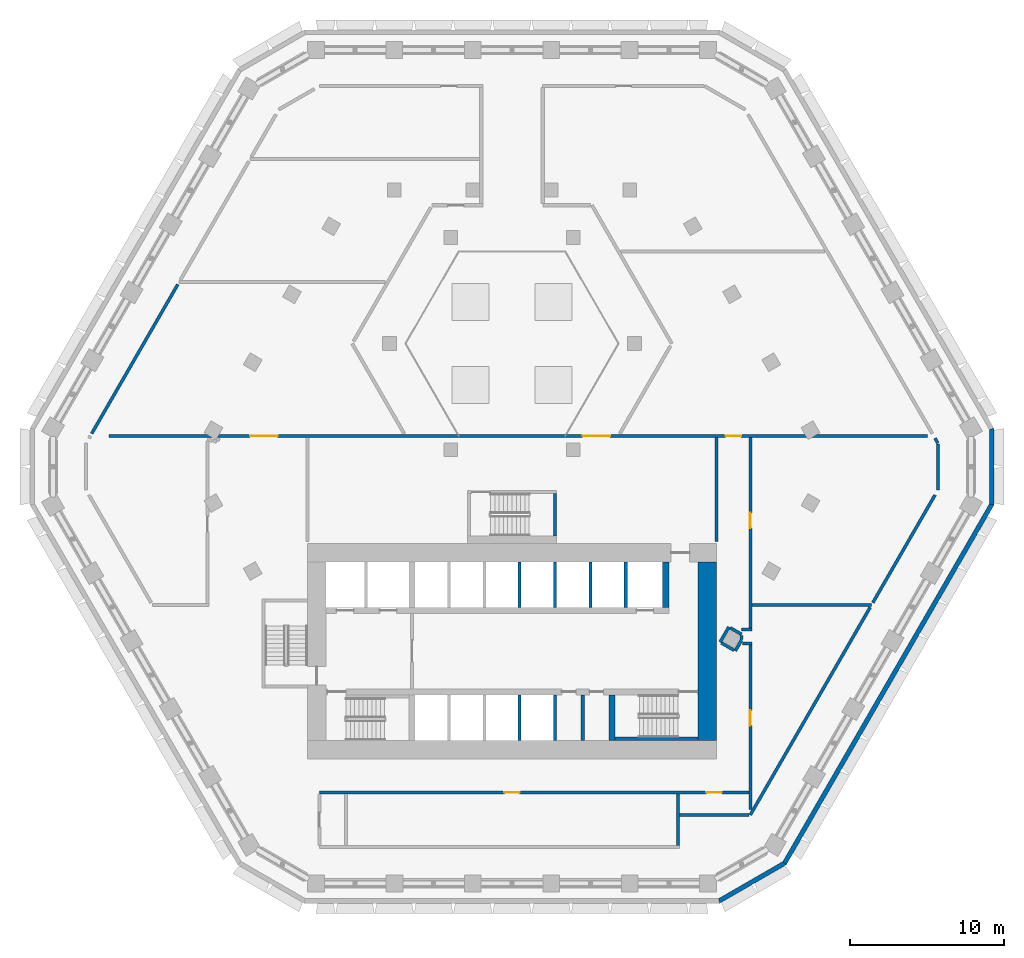
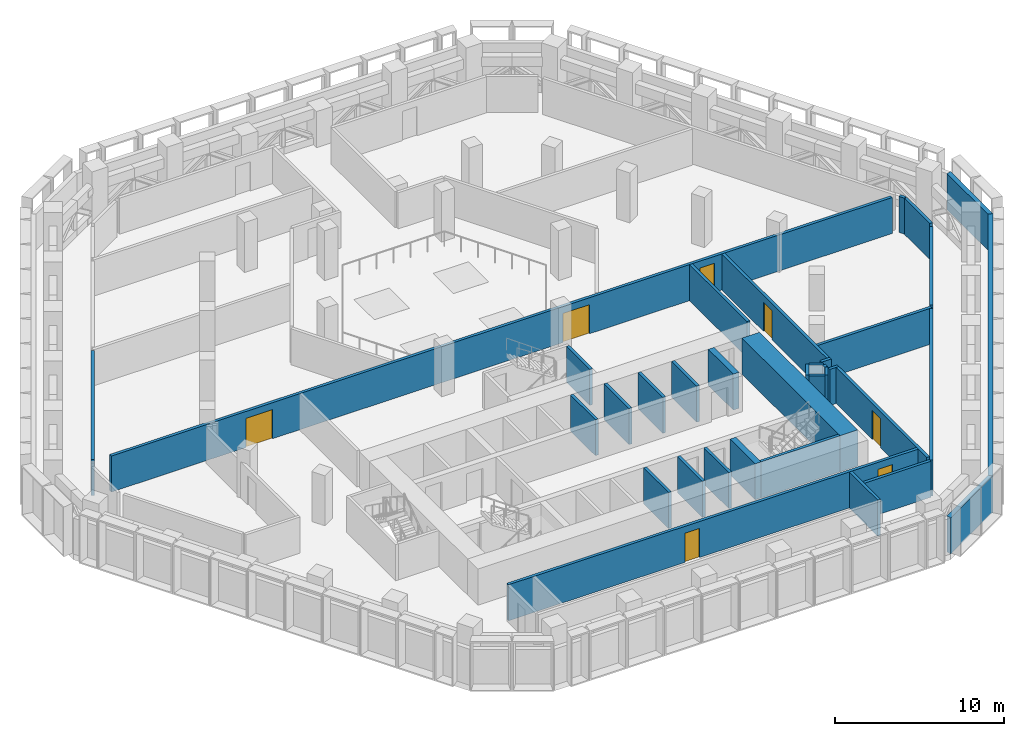
# One storey, part 12 of 22: 35 walls, 7 doors, 7 openings.
"""IFC4 building model written with IfcOpenShell, lengths in metres."""

from ifc_helpers import new_model, si_unit, direction, frame, frame_2d, origin, place, context, subcontext, project, spatial, polyline, rectangle, outline, extrude, material, layer, layer_set, type_object, element, fill, save


model = new_model("IFC4")

# Units and contexts
model_context = context("Model", 3, precision=1e-05, world=origin(), true_north=direction((0.0, 1.0)))
body_context = subcontext(model_context, "Body", "Model", "MODEL_VIEW")
ifc_project = project(units=[si_unit("LENGTHUNIT", "METRE"), si_unit("AREAUNIT", "SQUARE_METRE"), si_unit("VOLUMEUNIT", "CUBIC_METRE"), si_unit("PLANEANGLEUNIT", "RADIAN"), si_unit("MASSUNIT", "GRAM", prefix="KILO")], contexts=[model_context])

# Site, building, storey
site_placement = place(None, origin())
site = spatial("IfcSite", under=ifc_project, at=site_placement, CompositionType="ELEMENT")
building_placement = place(site_placement, origin())
building = spatial("IfcBuilding", under=site, at=building_placement, Name="Beryl Residences", CompositionType="ELEMENT")
storey_placement = place(building_placement, frame((0.0, 0.0, 62.39990234375)))
storey = spatial("IfcBuildingStorey", under=building, at=storey_placement, Name="L19", CompositionType="ELEMENT", Elevation=62.39990234375)

# Walls
ifc_material_1 = material(Name="Composite metal panel with mineral wool insulation")
ifc_layer_1 = layer(ifc_material_1, 0.300048828125)
ifc_layer_set_1 = layer_set([ifc_layer_1], Name="ES1 pale metal composite panel wall 300 mm")
wall_type_1 = type_object("IfcWallType", Name="ES1 pale metal composite panel wall 300 mm", PredefinedType="SOLIDWALL", material=ifc_layer_set_1)
wall_1_placement = place(storey_placement, frame((13.43505859375, -28.27001953125, 0.0), z_axis=(0.0, 0.0, 1.0), x_axis=(0.866010750942, 0.50002537861, 0.0)))
element("IfcWall", 1, at=wall_1_placement, inside=storey, type_object=wall_type_1, Name="ES1 external wall L19 S-SE", PredefinedType="SOLIDWALL", context=body_context, shape_type="SweptSolid", body=[
    extrude(outline(polyline([(0.0, -0.14990234375), (4.999755859375, -0.14990234375), (4.91943359375, 0.14990234375), (0.080322265625, 0.14990234375), (0.0, -0.14990234375)])), origin(), (0.0, 0.0, 1.0), 2.60009765625),
])
wall_2_placement = place(storey_placement, frame((17.7099609375, -25.824951171875, 0.0), z_axis=(0.0, 0.0, 1.0), x_axis=(0.500001938803, 0.866024284413, 0.0)))
element("IfcWall", 2, at=wall_2_placement, inside=storey, type_object=wall_type_1, Name="ES1 external wall L19 SE", PredefinedType="SOLIDWALL", context=body_context, shape_type="SweptSolid", body=[
    extrude(outline(polyline([(0.0, -0.14990234375), (27.02001953125, -0.14990234375), (26.939697265625, 0.14990234375), (0.080322265625, 0.14990234375), (0.0, -0.14990234375)])), origin(), (0.0, 0.0, 1.0), 2.60009765625),
])
wall_3_placement = place(storey_placement, frame((31.199951171875, -2.5, 0.0), z_axis=(0.0, 0.0, 1.0), x_axis=(0.0, 1.0, 0.0)))
element("IfcWall", 3, at=wall_3_placement, inside=storey, type_object=wall_type_1, Name="ES1 external wall L19 SE-NE", PredefinedType="SOLIDWALL", context=body_context, shape_type="SweptSolid", body=[
    extrude(outline(polyline([(0.0, -0.14990234375), (5.0, -0.14990234375), (4.919677734375, 0.14990234375), (0.080322265625, 0.14990234375), (0.0, -0.14990234375)])), origin(), (0.0, 0.0, 1.0), 2.60009765625),
])
ifc_material_2 = material(Name="Cement board with tiles")
ifc_layer_2 = layer(ifc_material_2, 0.199951171875)
ifc_layer_set_2 = layer_set([ifc_layer_2], Name="PT11-200 wet area wall 200 mm")
wall_type_2 = type_object("IfcWallType", Name="PT11-200 wet area wall 200 mm", PredefinedType="PARTITIONING", material=ifc_layer_set_2)
wall_4_placement = place(storey_placement, frame((10.89990234375, -22.652099609375, 0.0), z_axis=(0.0, 0.0, 1.0), x_axis=(1.0, 0.0, 0.0)))
element("IfcWall", 4, at=wall_4_placement, inside=storey, type_object=wall_type_2, Name="Wall PT11-200 L19 001", PredefinedType="PARTITIONING", context=body_context, shape_type="SweptSolid", body=[
    extrude(rectangle(XDim=4.52001953125, YDim=0.199951171875, at=frame_2d((2.260009765625, 0.0))), origin(), (0.0, 0.0, 1.0), 2.60009765625),
])
ifc_material_3 = material(Name="Double stud gypsum board wall")
ifc_layer_3 = layer(ifc_material_3, 0.199951171875)
ifc_layer_set_3 = layer_set([ifc_layer_3], Name="PT4 corridor wall 200 mm double stud")
wall_type_3 = type_object("IfcWallType", Name="PT4 corridor wall 200 mm double stud", PredefinedType="PARTITIONING", material=ifc_layer_set_3)
wall_5_placement = place(storey_placement, frame((13.300048828125, -4.8798828125, 0.0), z_axis=(0.0, 0.0, 1.0), x_axis=(0.0, 1.0, 0.0)))
element("IfcWall", 5, at=wall_5_placement, inside=storey, type_object=wall_type_3, Name="Wall PT4 L19 002", PredefinedType="PARTITIONING", context=body_context, shape_type="SweptSolid", body=[
    extrude(rectangle(XDim=6.77978515625, YDim=0.199951171875, at=frame_2d((3.389892578125, 0.0))), origin(), (0.0, 0.0, 1.0), 2.60009765625),
])
ifc_material_4 = material(Name="Concrete C40/50", Category="concrete")
ifc_layer_4 = layer(ifc_material_4, 0.199951171875)
ifc_layer_set_4 = layer_set([ifc_layer_4], Name="PT5 stair enclosure wall 200 mm reinforced concrete C40/50")
wall_type_4 = type_object("IfcWallType", Name="PT5 stair enclosure wall 200 mm reinforced concrete C40/50", PredefinedType="SOLIDWALL", material=ifc_layer_set_4)
wall_6_placement = place(storey_placement, frame((2.800048828125, -4.5, 0.0), z_axis=(0.0, 0.0, 1.0), x_axis=(0.0, 1.0, 0.0)))
element("IfcWall", 6, at=wall_6_placement, inside=storey, type_object=wall_type_4, Name="Wall PT5 L19 003", PredefinedType="SOLIDWALL", context=body_context, shape_type="SweptSolid", body=[
    extrude(rectangle(XDim=2.75, YDim=0.199951171875, at=frame_2d((1.375, 0.0))), origin(), (0.0, 0.0, 1.0), 2.60009765625),
])
wall_7_placement = place(storey_placement, frame((6.699951171875, -17.699951171875, 0.0), z_axis=(0.0, 0.0, 1.0), x_axis=(1.0, 0.0, 0.0)))
element("IfcWall", 7, at=wall_7_placement, inside=storey, type_object=wall_type_4, Name="Stair wall 17", PredefinedType="SOLIDWALL", context=body_context, shape_type="SweptSolid", body=[
    extrude(rectangle(XDim=5.400146484375, YDim=0.199951171875, at=frame_2d((2.7001953125, 0.0))), origin(), (0.0, 0.0, 1.0), 2.60009765625),
])
ifc_material_5 = material(Name="Concrete C40/50", Category="concrete")
ifc_layer_5 = layer(ifc_material_5, 0.199951171875)
ifc_layer_set_5 = layer_set([ifc_layer_5], Name="PT6 lift shaft wall 200 mm reinforced concrete C40/50")
wall_type_5 = type_object("IfcWallType", Name="PT6 lift shaft wall 200 mm reinforced concrete C40/50", PredefinedType="SOLIDWALL", material=ifc_layer_set_5)
for number, where, z_axis, x_axis, name in (
    (8, (0.5, -17.800048828125, 0.0), (0.0, 0.0, 1.0), (0.0, 1.0, 0.0), "Lift shaft wall 11"),
    (9, (0.5, -9.14990234375, 0.0), (0.0, 0.0, 1.0), (0.0, 1.0, 0.0), "Lift shaft wall 12"),
    (10, (2.800048828125, -17.800048828125, 0.0), (0.0, 0.0, 1.0), (0.0, 1.0, 0.0), "Lift shaft wall 13"),
    (11, (2.800048828125, -9.14990234375, 0.0), (0.0, 0.0, 1.0), (0.0, 1.0, 0.0), "Lift shaft wall 14"),
    (12, (5.10009765625, -9.14990234375, 0.0), (0.0, 0.0, 1.0), (0.0, 1.0, 0.0), "Lift shaft wall 16"),
    (13, (7.39990234375, -9.14990234375, 0.0), (0.0, 0.0, 1.0), (0.0, 1.0, 0.0), "Lift shaft wall 18"),
):
    element("IfcWall", number, at=place(storey_placement, frame(where, z_axis=z_axis, x_axis=x_axis)), inside=storey, type_object=wall_type_5, Name=name, PredefinedType="SOLIDWALL", context=body_context, shape_type="SweptSolid", body=[
        extrude(rectangle(XDim=2.949951171875, YDim=0.199951171875, at=frame_2d((1.47509765625, 0.0))), origin(), (0.0, 0.0, 1.0), 2.60009765625),
    ])

# Wall, openings, doors
ifc_material_6 = material(Name="Concrete masonry", Category="masonry")
ifc_layer_6 = layer(ifc_material_6, 0.199951171875)
ifc_layer_set_6 = layer_set([ifc_layer_6], Name="PT8-200 service room wall 200 mm")
wall_type_6 = type_object("IfcWallType", Name="PT8-200 service room wall 200 mm", PredefinedType="PARTITIONING", material=ifc_layer_set_6)
wall_8_placement = place(storey_placement, frame((-12.531982421875, -21.199951171875, 0.0), z_axis=(0.0, 0.0, 1.0), x_axis=(1.0, 0.0, 0.0)))
wall_8 = element("IfcWall", 14, at=wall_8_placement, inside=storey, type_object=wall_type_6, Name="Wall PT8-200 L19 002", PredefinedType="PARTITIONING", context=body_context, shape_type="SweptSolid", body=[
    extrude(rectangle(XDim=28.031982421875, YDim=0.199951171875, at=frame_2d((14.01611328125, 0.0))), origin(), (0.0, 0.0, 1.0), 2.60009765625),
])
opening_1_placement = place(wall_8_placement, frame((13.031982421875, 0.0, 0.0), z_axis=(0.0, 0.0, 1.0), x_axis=(-1.0, 0.0, 0.0)))
opening_1 = element("IfcOpeningElement", 15, at=opening_1_placement, cuts=wall_8, Name="Opening L19-02", PredefinedType="OPENING", context=body_context, shape_type="SweptSolid", body=[
    extrude(rectangle(XDim=1.0, YDim=2.10009765625, at=frame_2d((0.5, 1.050048828125))), frame((0.0, 0.10986328125, 0.0), z_axis=(0.0, -1.0, 0.0), x_axis=(1.0, 0.0, 0.0)), (0.0, 0.0, 1.0), 0.219970703125),
])
opening_2_placement = place(wall_8_placement, frame((26.179931640625, 0.0, 0.0), z_axis=(0.0, 0.0, 1.0), x_axis=(-1.0, 0.0, 0.0)))
opening_2 = element("IfcOpeningElement", 16, at=opening_2_placement, cuts=wall_8, Name="Opening L19-03", PredefinedType="OPENING", context=body_context, shape_type="SweptSolid", body=[
    extrude(rectangle(XDim=1.0, YDim=2.10009765625, at=frame_2d((0.5, 1.050048828125))), frame((0.0, 0.10986328125, 0.0), z_axis=(0.0, -1.0, 0.0), x_axis=(1.0, 0.0, 0.0)), (0.0, 0.0, 1.0), 0.219970703125),
])
ifc_material_7 = material(Name="Timber door leaf", Category="wood")
door_type_1 = type_object("IfcDoorType", Name="D19 room door 1000 x 2100 mm", OperationType="SINGLE_SWING_LEFT", PredefinedType="DOOR", material=ifc_material_7)
door_1_placement = place(opening_2_placement, origin())
door_1 = element("IfcDoor", 17, at=door_1_placement, inside=storey, type_object=door_type_1, Name="Door L19-03 L19 001", OperationType="SINGLE_SWING_RIGHT", OverallHeight=2.10009765625, OverallWidth=1.0, PredefinedType="DOOR", context=body_context, shape_type="SweptSolid", body=[
    extrude(rectangle(XDim=1.0, YDim=2.10009765625, at=frame_2d((0.5, 1.050048828125))), frame((0.0, 0.02490234375, 0.0), z_axis=(0.0, -1.0, 0.0), x_axis=(1.0, 0.0, 0.0)), (0.0, 0.0, 1.0), 0.050048828125),
])
fill(opening_2, door_1)
ifc_material_8 = material(Name="Timber door leaf", Category="wood")
door_type_2 = type_object("IfcDoorType", Name="D9 corridor door 1000 x 2100 mm", OperationType="SINGLE_SWING_LEFT", PredefinedType="DOOR", material=ifc_material_8)
door_2_placement = place(opening_1_placement, origin())
door_2 = element("IfcDoor", 18, at=door_2_placement, inside=storey, type_object=door_type_2, Name="Door L19-02 L19 001", OperationType="SINGLE_SWING_LEFT", OverallHeight=2.10009765625, OverallWidth=1.0, PredefinedType="DOOR", context=body_context, shape_type="SweptSolid", body=[
    extrude(rectangle(XDim=1.0, YDim=2.10009765625, at=frame_2d((0.5, 1.050048828125))), frame((0.0, 0.02490234375, 0.0), z_axis=(0.0, -1.0, 0.0), x_axis=(1.0, 0.0, 0.0)), (0.0, 0.0, 1.0), 0.050048828125),
])
fill(opening_1, door_2)

# Walls
wall_9_placement = place(storey_placement, frame((10.800048828125, -24.64990234375, 0.0), z_axis=(0.0, 0.0, 1.0), x_axis=(0.0, 1.0, 0.0)))
element("IfcWall", 19, at=wall_9_placement, inside=storey, type_object=wall_type_6, Name="Wall PT8-200 L19 005", PredefinedType="PARTITIONING", context=body_context, shape_type="SweptSolid", body=[
    extrude(rectangle(XDim=3.349853515625, YDim=0.199951171875, at=frame_2d((1.6748046875, 0.0))), origin(), (0.0, 0.0, 1.0), 2.60009765625),
])
wall_10_placement = place(storey_placement, frame((4.60009765625, -17.800048828125, 0.0), z_axis=(0.0, 0.0, 1.0), x_axis=(0.0, 1.0, 0.0)))
element("IfcWall", 20, at=wall_10_placement, inside=storey, type_object=wall_type_6, Name="Core room wall 15", PredefinedType="PARTITIONING", context=body_context, shape_type="SweptSolid", body=[
    extrude(rectangle(XDim=2.949951171875, YDim=0.199951171875, at=frame_2d((1.47509765625, 0.0))), origin(), (0.0, 0.0, 1.0), 2.60009765625),
])
ifc_material_9 = material(Name="Concrete C40/50", Category="concrete")
ifc_layer_7 = layer(ifc_material_9, 0.199951171875)
ifc_layer_set_7 = layer_set([ifc_layer_7], Name="PT9-200 plant room wall 200 mm")
wall_type_7 = type_object("IfcWallType", Name="PT9-200 plant room wall 200 mm", PredefinedType="SOLIDWALL", material=ifc_layer_set_7)
wall_11_placement = place(storey_placement, frame((14.97802734375, -11.493896484375, 0.0), z_axis=(0.0, 0.0, 1.0), x_axis=(1.0, 0.0, 0.0)))
element("IfcWall", 21, at=wall_11_placement, inside=storey, type_object=wall_type_7, Name="Wall PT9-200 L19 001", PredefinedType="SOLIDWALL", context=body_context, shape_type="SweptSolid", body=[
    extrude(rectangle(XDim=0.6220703125, YDim=0.199951171875, at=frame_2d((0.31103515625, 0.0))), origin(), (0.0, 0.0, 1.0), 2.60009765625),
])
wall_12_placement = place(storey_placement, frame((14.927978515625, -10.593994140625, 0.0), z_axis=(0.0, 0.0, 1.0), x_axis=(1.0, 0.0, 0.0)))
element("IfcWall", 22, at=wall_12_placement, inside=storey, type_object=wall_type_7, Name="Wall PT9-200 L19 002", PredefinedType="SOLIDWALL", context=body_context, shape_type="SweptSolid", body=[
    extrude(rectangle(XDim=0.672119140625, YDim=0.199951171875, at=frame_2d((0.3359375, 0.0))), origin(), (0.0, 0.0, 1.0), 2.60009765625),
])
wall_13_placement = place(storey_placement, frame((15.60009765625, -9.0, 0.0), z_axis=(0.0, 0.0, 1.0), x_axis=(1.0, 0.0, 0.0)))
element("IfcWall", 23, at=wall_13_placement, inside=storey, type_object=wall_type_7, Name="Wall PT9-200 L19 004", PredefinedType="SOLIDWALL", context=body_context, shape_type="SweptSolid", body=[
    extrude(rectangle(XDim=7.781982421875, YDim=0.199951171875, at=frame_2d((3.89111328125, 0.0))), origin(), (0.0, 0.0, 1.0), 2.60009765625),
])

# Wall, openings, doors
wall_14_placement = place(storey_placement, frame((-26.22412109375, 2.0, 0.0), z_axis=(0.0, 0.0, 1.0), x_axis=(1.0, 0.0, 0.0)))
wall_14 = element("IfcWall", 24, at=wall_14_placement, inside=storey, type_object=wall_type_7, Name="Wall PT9-200 L19 005", PredefinedType="SOLIDWALL", context=body_context, shape_type="SweptSolid", body=[
    extrude(rectangle(XDim=53.248046875, YDim=0.199951171875, at=frame_2d((26.6240234375, 0.0))), origin(), (0.0, 0.0, 1.0), 2.60009765625),
])
opening_3_placement = place(wall_14_placement, frame((9.18798828125, 0.0, 0.0)))
opening_3 = element("IfcOpeningElement", 25, at=opening_3_placement, cuts=wall_14, Name="Opening L19-05", PredefinedType="OPENING", context=body_context, shape_type="SweptSolid", body=[
    extrude(rectangle(XDim=1.800048828125, YDim=2.10009765625, at=frame_2d((0.89990234375, 1.050048828125))), frame((0.0, 0.10986328125, 0.0), z_axis=(0.0, -1.0, 0.0), x_axis=(1.0, 0.0, 0.0)), (0.0, 0.0, 1.0), 0.219970703125),
])
opening_4_placement = place(wall_14_placement, frame((40.1240234375, 0.0, 0.0)))
opening_4 = element("IfcOpeningElement", 26, at=opening_4_placement, cuts=wall_14, Name="Opening L19-07", PredefinedType="OPENING", context=body_context, shape_type="SweptSolid", body=[
    extrude(rectangle(XDim=1.0, YDim=2.10009765625, at=frame_2d((0.5, 1.050048828125))), frame((0.0, 0.10986328125, 0.0), z_axis=(0.0, -1.0, 0.0), x_axis=(1.0, 0.0, 0.0)), (0.0, 0.0, 1.0), 0.219970703125),
])
opening_5_placement = place(wall_14_placement, frame((30.81103515625, 0.0, 0.0)))
opening_5 = element("IfcOpeningElement", 27, at=opening_5_placement, cuts=wall_14, Name="Opening L19-12", PredefinedType="OPENING", context=body_context, shape_type="SweptSolid", body=[
    extrude(rectangle(XDim=1.800048828125, YDim=2.10009765625, at=frame_2d((0.89990234375, 1.050048828125))), frame((0.0, 0.10986328125, 0.0), z_axis=(0.0, -1.0, 0.0), x_axis=(1.0, 0.0, 0.0)), (0.0, 0.0, 1.0), 0.219970703125),
])
ifc_material_10 = material(Name="Steel door leaf in steel frame", Category="steel")
door_type_3 = type_object("IfcDoorType", Name="D16 plant room door 1000 x 2100 mm", OperationType="SINGLE_SWING_LEFT", PredefinedType="DOOR", material=ifc_material_10)
door_3_placement = place(opening_4_placement, origin())
door_3 = element("IfcDoor", 28, at=door_3_placement, inside=storey, type_object=door_type_3, Name="Door L19-07 L19 001", OperationType="SINGLE_SWING_LEFT", OverallHeight=2.10009765625, OverallWidth=1.0, PredefinedType="DOOR", context=body_context, shape_type="SweptSolid", body=[
    extrude(rectangle(XDim=1.0, YDim=2.10009765625, at=frame_2d((0.5, 1.050048828125))), frame((0.0, 0.02490234375, 0.0), z_axis=(0.0, -1.0, 0.0), x_axis=(1.0, 0.0, 0.0)), (0.0, 0.0, 1.0), 0.050048828125),
])
fill(opening_4, door_3)
ifc_material_11 = material(Name="Timber door leaf", Category="wood")
door_type_4 = type_object("IfcDoorType", Name="D20 corridor door 1800 x 2100 mm", OperationType="DOUBLE_DOOR_SINGLE_SWING", PredefinedType="DOOR", material=ifc_material_11)
door_4_placement = place(opening_5_placement, origin())
door_4 = element("IfcDoor", 29, at=door_4_placement, inside=storey, type_object=door_type_4, Name="Door L19-12 L19 001", OperationType="DOUBLE_DOOR_SINGLE_SWING", OverallHeight=2.10009765625, OverallWidth=1.800048828125, PredefinedType="DOOR", context=body_context, shape_type="SweptSolid", body=[
    extrude(rectangle(XDim=1.800048828125, YDim=2.10009765625, at=frame_2d((0.89990234375, 1.050048828125))), frame((0.0, 0.02490234375, 0.0), z_axis=(0.0, -1.0, 0.0), x_axis=(1.0, 0.0, 0.0)), (0.0, 0.0, 1.0), 0.050048828125),
])
fill(opening_5, door_4)
ifc_material_12 = material(Name="Steel door leaf in steel frame", Category="steel")
door_type_5 = type_object("IfcDoorType", Name="D21 plant room door 1800 x 2100 mm", OperationType="DOUBLE_DOOR_SINGLE_SWING", PredefinedType="DOOR", material=ifc_material_12)
door_5_placement = place(opening_3_placement, origin())
door_5 = element("IfcDoor", 30, at=door_5_placement, inside=storey, type_object=door_type_5, Name="Door L19-05 L19 001", OperationType="DOUBLE_DOOR_SINGLE_SWING", OverallHeight=2.10009765625, OverallWidth=1.800048828125, PredefinedType="DOOR", context=body_context, shape_type="SweptSolid", body=[
    extrude(rectangle(XDim=1.800048828125, YDim=2.10009765625, at=frame_2d((0.89990234375, 1.050048828125))), frame((0.0, 0.02490234375, 0.0), z_axis=(0.0, -1.0, 0.0), x_axis=(1.0, 0.0, 0.0)), (0.0, 0.0, 1.0), 0.050048828125),
])
fill(opening_3, door_5)

# Wall
wall_15_placement = place(storey_placement, frame((14.927978515625, -11.23388671875, 0.0), z_axis=(0.0, 0.0, 1.0), x_axis=(0.0, 1.0, 0.0)))
element("IfcWall", 31, at=wall_15_placement, inside=storey, type_object=wall_type_7, Name="Wall PT9-200 L19 016", PredefinedType="SOLIDWALL", context=body_context, shape_type="SweptSolid", body=[
    extrude(rectangle(XDim=0.25, YDim=0.199951171875, at=frame_2d((0.125, 0.0))), origin(), (0.0, 0.0, 1.0), 2.60009765625),
])

# Wall, opening, door
wall_16_placement = place(storey_placement, frame((15.5, -22.2919921875, 0.0), z_axis=(0.0, 0.0, 1.0), x_axis=(0.0, 1.0, 0.0)))
wall_16 = element("IfcWall", 32, at=wall_16_placement, inside=storey, type_object=wall_type_7, Name="Wall PT9-200 L19 017", PredefinedType="SOLIDWALL", context=body_context, shape_type="SweptSolid", body=[
    extrude(rectangle(XDim=10.697998046875, YDim=0.199951171875, at=frame_2d((5.34912109375, 0.0))), origin(), (0.0, 0.0, 1.0), 2.60009765625),
])
opening_6_placement = place(wall_16_placement, frame((6.445068359375, 0.0, 0.0), z_axis=(0.0, 0.0, 1.0), x_axis=(-1.0, 0.0, 0.0)))
opening_6 = element("IfcOpeningElement", 33, at=opening_6_placement, cuts=wall_16, Name="Opening L19-10", PredefinedType="OPENING", context=body_context, shape_type="SweptSolid", body=[
    extrude(rectangle(XDim=1.0, YDim=2.10009765625, at=frame_2d((0.5, 1.050048828125))), frame((0.0, 0.10986328125, 0.0), z_axis=(0.0, -1.0, 0.0), x_axis=(1.0, 0.0, 0.0)), (0.0, 0.0, 1.0), 0.219970703125),
])
door_6_placement = place(opening_6_placement, origin())
door_6 = element("IfcDoor", 34, at=door_6_placement, inside=storey, type_object=door_type_3, Name="Door L19-10 L19 001", OperationType="SINGLE_SWING_LEFT", OverallHeight=2.10009765625, OverallWidth=1.0, PredefinedType="DOOR", context=body_context, shape_type="SweptSolid", body=[
    extrude(rectangle(XDim=1.0, YDim=2.10009765625, at=frame_2d((0.5, 1.050048828125))), frame((0.0, 0.02490234375, 0.0), z_axis=(0.0, -1.0, 0.0), x_axis=(1.0, 0.0, 0.0)), (0.0, 0.0, 1.0), 0.050048828125),
])
fill(opening_6, door_6)

wall_17_placement = place(storey_placement, frame((15.5, -10.493896484375, 0.0), z_axis=(0.0, 0.0, 1.0), x_axis=(0.0, 1.0, 0.0)))
wall_17 = element("IfcWall", 35, at=wall_17_placement, inside=storey, type_object=wall_type_7, Name="Wall PT9-200 L19 018", PredefinedType="SOLIDWALL", context=body_context, shape_type="SweptSolid", body=[
    extrude(rectangle(XDim=12.393798828125, YDim=0.199951171875, at=frame_2d((6.19677734375, 0.0))), origin(), (0.0, 0.0, 1.0), 2.60009765625),
])
opening_7_placement = place(wall_17_placement, frame((7.491943359375, 0.0, 0.0), z_axis=(0.0, 0.0, 1.0), x_axis=(-1.0, 0.0, 0.0)))
opening_7 = element("IfcOpeningElement", 36, at=opening_7_placement, cuts=wall_17, Name="Opening L19-04", PredefinedType="OPENING", context=body_context, shape_type="SweptSolid", body=[
    extrude(rectangle(XDim=1.0, YDim=2.10009765625, at=frame_2d((0.5, 1.050048828125))), frame((0.0, 0.10986328125, 0.0), z_axis=(0.0, -1.0, 0.0), x_axis=(1.0, 0.0, 0.0)), (0.0, 0.0, 1.0), 0.219970703125),
])
door_7_placement = place(opening_7_placement, origin())
door_7 = element("IfcDoor", 37, at=door_7_placement, inside=storey, type_object=door_type_3, Name="Door L19-04 L19 001", OperationType="SINGLE_SWING_LEFT", OverallHeight=2.10009765625, OverallWidth=1.0, PredefinedType="DOOR", context=body_context, shape_type="SweptSolid", body=[
    extrude(rectangle(XDim=1.0, YDim=2.10009765625, at=frame_2d((0.5, 1.050048828125))), frame((0.0, 0.02490234375, 0.0), z_axis=(0.0, -1.0, 0.0), x_axis=(1.0, 0.0, 0.0)), (0.0, 0.0, 1.0), 0.050048828125),
])
fill(opening_7, door_7)

# Walls
wall_18_placement = place(storey_placement, frame((27.699951171875, -1.52197265625, 0.0), z_axis=(0.0, 0.0, 1.0), x_axis=(0.0, 1.0, 0.0)))
element("IfcWall", 38, at=wall_18_placement, inside=storey, type_object=wall_type_7, Name="Wall PT9-200 L19 019", PredefinedType="SOLIDWALL", context=body_context, shape_type="SweptSolid", body=[
    extrude(rectangle(XDim=2.993896484375, YDim=0.199951171875, at=frame_2d((1.4970703125, 0.0))), origin(), (0.0, 0.0, 1.0), 2.60009765625),
])
wall_19_placement = place(storey_placement, frame((13.62109375, -11.468017578125, 0.0), z_axis=(0.0, 0.0, 1.0), x_axis=(0.866012558475, -0.500022248069, 0.0)))
element("IfcWall", 39, at=wall_19_placement, inside=storey, type_object=wall_type_7, Name="Wall PT9-200 L19 020", PredefinedType="SOLIDWALL", context=body_context, shape_type="SweptSolid", body=[
    extrude(rectangle(XDim=0.93994140625, YDim=0.199951171875, at=frame_2d((0.469970703125, 0.0))), origin(), (0.0, 0.0, 1.0), 2.60009765625),
])
wall_20_placement = place(storey_placement, frame((14.19091796875, -10.47998046875, 0.0), z_axis=(0.0, 0.0, 1.0), x_axis=(0.865779484054, -0.500425703768, 0.0)))
element("IfcWall", 40, at=wall_20_placement, inside=storey, type_object=wall_type_7, Name="Wall PT9-200 L19 021", PredefinedType="SOLIDWALL", context=body_context, shape_type="SweptSolid", body=[
    extrude(rectangle(XDim=0.851318359375, YDim=0.199951171875, at=frame_2d((0.42578125, 0.0))), origin(), (0.0, 0.0, 1.0), 2.60009765625),
])
wall_21_placement = place(storey_placement, frame((27.510986328125, 1.85009765625, 0.0), z_axis=(0.0, 0.0, 1.0), x_axis=(0.499052486836, -0.866571760088, 0.0)))
element("IfcWall", 41, at=wall_21_placement, inside=storey, type_object=wall_type_7, Name="Wall PT9-200 L19 029", PredefinedType="SOLIDWALL", context=body_context, shape_type="SweptSolid", body=[
    extrude(rectangle(XDim=0.378662109375, YDim=0.199951171875, at=frame_2d((0.189453125, 0.0))), origin(), (0.0, 0.0, 1.0), 2.60009765625),
])
wall_22_placement = place(storey_placement, frame((15.5, -22.652099609375, 0.0), z_axis=(0.0, 0.0, 1.0), x_axis=(0.499972322153, 0.866041383007, 0.0)))
element("IfcWall", 42, at=wall_22_placement, inside=storey, type_object=wall_type_7, Name="Wall PT9-200 L19 030", PredefinedType="SOLIDWALL", context=body_context, shape_type="SweptSolid", body=[
    extrude(rectangle(XDim=15.5908203125, YDim=0.199951171875, at=frame_2d((7.79541015625, 0.0))), origin(), (0.0, 0.0, 1.0), 2.60009765625),
])
wall_23_placement = place(storey_placement, frame((23.468994140625, -8.85009765625, 0.0), z_axis=(0.0, 0.0, 1.0), x_axis=(0.499956732914, 0.866050382607, 0.0)))
element("IfcWall", 43, at=wall_23_placement, inside=storey, type_object=wall_type_7, Name="Wall PT9-200 L19 031", PredefinedType="SOLIDWALL", context=body_context, shape_type="SweptSolid", body=[
    extrude(rectangle(XDim=8.088623046875, YDim=0.199951171875, at=frame_2d((4.04443359375, 0.0))), origin(), (0.0, 0.0, 1.0), 2.60009765625),
])
wall_24_placement = place(storey_placement, frame((-27.3369140625, 2.14990234375, 0.0), z_axis=(0.0, 0.0, 1.0), x_axis=(0.499962711661, 0.866046931147, 0.0)))
element("IfcWall", 44, at=wall_24_placement, inside=storey, type_object=wall_type_7, Name="Wall PT9-200 L19 035", PredefinedType="SOLIDWALL", context=body_context, shape_type="SweptSolid", body=[
    extrude(rectangle(XDim=11.200439453125, YDim=0.199951171875, at=frame_2d((5.60009765625, 0.0))), origin(), (0.0, 0.0, 1.0), 2.60009765625),
])
wall_25_placement = place(storey_placement, frame((13.533935546875, -11.41796875, 0.0), z_axis=(0.0, 0.0, 1.0), x_axis=(0.499753333889, 0.8661677697, 0.0)))
element("IfcWall", 45, at=wall_25_placement, inside=storey, type_object=wall_type_7, Name="Wall PT9-200 L19 037", PredefinedType="SOLIDWALL", context=body_context, shape_type="SweptSolid", body=[
    extrude(rectangle(XDim=1.140625, YDim=0.199951171875, at=frame_2d((0.5703125, 0.0))), origin(), (0.0, 0.0, 1.0), 2.60009765625),
])
wall_26_placement = place(storey_placement, frame((14.52197265625, -11.988037109375, 0.0), z_axis=(0.0, 0.0, 1.0), x_axis=(0.49953174516, 0.866295582106, 0.0)))
element("IfcWall", 46, at=wall_26_placement, inside=storey, type_object=wall_type_7, Name="Wall PT9-200 L19 038", PredefinedType="SOLIDWALL", context=body_context, shape_type="SweptSolid", body=[
    extrude(rectangle(XDim=0.812744140625, YDim=0.199951171875, at=frame_2d((0.40625, 0.0))), origin(), (0.0, 0.0, 1.0), 2.60009765625),
])
ifc_material_13 = material(Name="Concrete C80/95", Category="concrete")
ifc_layer_8 = layer(ifc_material_13, 1.199951171875)
ifc_layer_set_8 = layer_set([ifc_layer_8], Name="SW1 core outer wall 1200 mm C80/95")
wall_type_8 = type_object("IfcWallType", Name="SW1 core outer wall 1200 mm C80/95", PredefinedType="SHEAR", material=ifc_layer_set_8)
wall_27_placement = place(storey_placement, frame((12.699951171875, -17.800048828125, 0.0), z_axis=(0.0, 0.0, 1.0), x_axis=(0.0, 1.0, 0.0)))
element("IfcWall", 47, at=wall_27_placement, inside=storey, type_object=wall_type_8, Name="Core wall E L19", PredefinedType="SHEAR", context=body_context, shape_type="SweptSolid", body=[
    extrude(rectangle(XDim=11.60009765625, YDim=1.199951171875, at=frame_2d((5.800048828125, 0.0))), origin(), (0.0, 0.0, 1.0), 2.60009765625),
])
ifc_material_14 = material(Name="Concrete C80/95", Category="concrete")
ifc_layer_9 = layer(ifc_material_14, 0.39990234375)
ifc_layer_set_9 = layer_set([ifc_layer_9], Name="SW6 core internal wall 400 mm C80/95")
wall_type_9 = type_object("IfcWallType", Name="SW6 core internal wall 400 mm C80/95", PredefinedType="SHEAR", material=ifc_layer_set_9)
for number, where, z_axis, x_axis, name in (
    (48, (6.5, -17.800048828125, 0.0), (0.0, 0.0, 1.0), (0.0, 1.0, 0.0), "Core wall XS2 L19"),
    (49, (10.0, -9.14990234375, 0.0), (0.0, 0.0, 1.0), (0.0, 1.0, 0.0), "Core wall XN2 L19"),
):
    element("IfcWall", number, at=place(storey_placement, frame(where, z_axis=z_axis, x_axis=x_axis)), inside=storey, type_object=wall_type_9, Name=name, PredefinedType="SHEAR", context=body_context, shape_type="SweptSolid", body=[
        extrude(rectangle(XDim=2.949951171875, YDim=0.39990234375, at=frame_2d((1.47509765625, 0.0))), origin(), (0.0, 0.0, 1.0), 2.60009765625),
    ])

save(model, "model.ifc")
